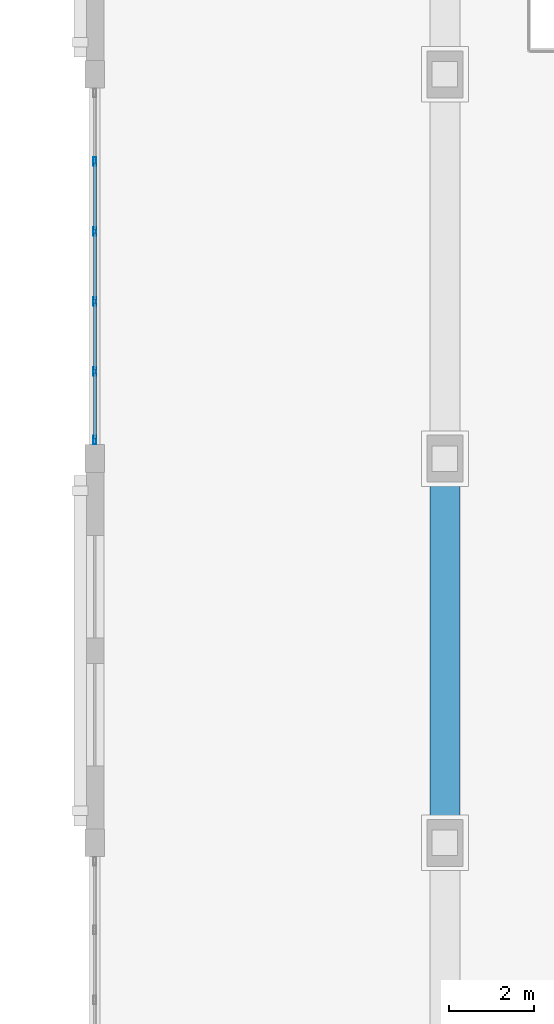
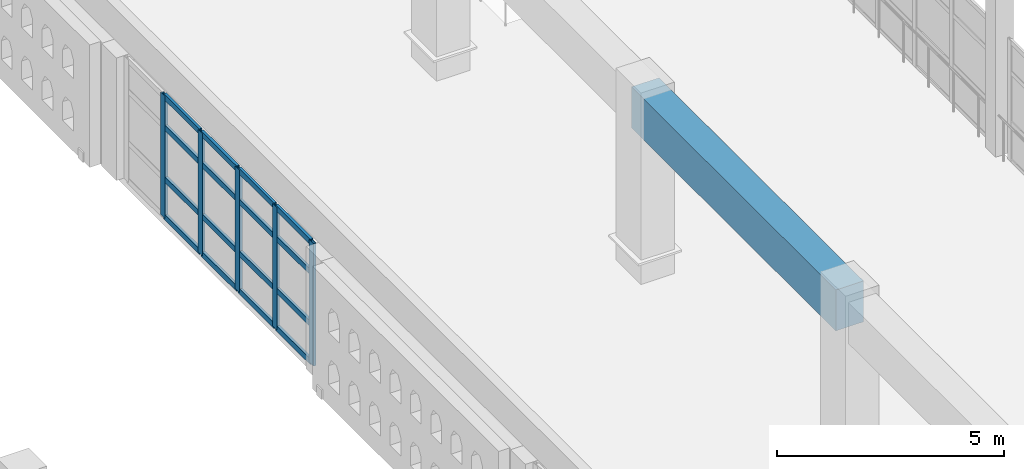
# One storey, part 5 of 80: 21 members, 1 beam, 1 element without a shape of its own.
"""IFC4 building model written with IfcOpenShell, lengths in metres."""

from ifc_helpers import new_model, si_unit, direction, frame, origin, origin_2d, place, context, subcontext, project, spatial, rectangle, hollow_rectangle, extrude, material, layer, layer_set, material_profile, profile_set, type_object, element, aggregate, save


model = new_model("IFC4")

# Units and contexts
model_context = context("Model", 3, precision=1e-05, world=origin(), true_north=direction((0.0, 1.0)))
body_context = subcontext(model_context, "Body", "Model", "MODEL_VIEW")
ifc_project = project(units=[si_unit("LENGTHUNIT", "METRE"), si_unit("AREAUNIT", "SQUARE_METRE"), si_unit("VOLUMEUNIT", "CUBIC_METRE"), si_unit("PLANEANGLEUNIT", "RADIAN"), si_unit("MASSUNIT", "GRAM", prefix="KILO")], contexts=[model_context])

# Site, building, storey
site_placement = place(None, origin())
site = spatial("IfcSite", under=ifc_project, at=site_placement, CompositionType="ELEMENT")
building_placement = place(site_placement, origin())
building = spatial("IfcBuilding", under=site, at=building_placement, Name="Ornek Quay Market", CompositionType="ELEMENT")
storey_placement = place(building_placement, frame((0.0, 0.0, 8.39990234375)))
storey = spatial("IfcBuildingStorey", under=building, at=storey_placement, Name="L02", CompositionType="ELEMENT", Elevation=8.39990234375)

# Beam
ifc_material_1 = material(Name="Concrete C45/55", Category="concrete")
ifc_material_profile_1 = material_profile(ifc_material_1, rectangle(XDim=0.699951171875, YDim=1.10009765625, at=origin_2d()), Name="RC 700x1100", Category="concrete")
ifc_profile_set_1 = profile_set([ifc_material_profile_1], Name="Concrete C45/55")
beam_type = type_object("IfcBeamType", Name="BM-ARCH-TIE-700x1100", PredefinedType="BEAM", material=ifc_profile_set_1)
beam_placement = place(storey_placement, frame((63.0, 47.0, 4.400146484375), z_axis=(0.0, 1.0, 0.0), x_axis=(-1.0, 0.0, 0.0)))
element("IfcBeam", 1, at=beam_placement, inside=storey, type_object=beam_type, Name="Arch springing edge tie beam F-W", PredefinedType="BEAM", context=body_context, shape_type="SweptSolid", body=[
    extrude(rectangle(XDim=0.699951171875, YDim=1.10009765625, at=origin_2d()), origin(), (0.0, 0.0, 1.0), 9.0),
])

# Curtain wall, members
ifc_material_2 = material(Name="Anodised bronze aluminium and triple low-e glass", Category="aluminium")
ifc_layer = layer(ifc_material_2, 0.239990234375, Name="Anodised bronze aluminium and triple low-e glass", Category="aluminium")
ifc_layer_set = layer_set([ifc_layer], Name="Anodised bronze aluminium and triple low-e glass")
curtain_wall_type = type_object("IfcCurtainWallType", Name="CW-GAB-MOD1800", PredefinedType="USERDEFINED", material=ifc_layer_set)
curtain_wall_placement = place(storey_placement, origin())
curtain_wall = element("IfcCurtainWall", 2, at=curtain_wall_placement, inside=storey, type_object=curtain_wall_type, Name="Curtain wall CW-058", ObjectType="CURTAIN WALL", PredefinedType="USERDEFINED")
ifc_material_3 = material(Name="Anodised aluminium 6063-T6", Category="aluminium")
ifc_material_profile_2 = material_profile(ifc_material_3, hollow_rectangle(XDim=0.070068359375, YDim=0.199951171875, WallThickness=0.0048828125, at=origin_2d()), Name="CW-MUL-70x200", Category="aluminium")
ifc_profile_set_2 = profile_set([ifc_material_profile_2], Name="Anodised aluminium 6063-T6")
member_type_1 = type_object("IfcMemberType", Name="CW-MUL-70x200", PredefinedType="MULLION", material=ifc_profile_set_2)
member_1_placement = place(storey_placement, frame((54.800048828125, 56.43505859375, 0.0), z_axis=(0.0, 0.0, 1.0), x_axis=(-1.0, 0.0, 0.0)))
member_1 = element("IfcMember", 3, at=member_1_placement, type_object=member_type_1, Name="CW-058 mullion 1", PredefinedType="MULLION", context=body_context, shape_type="SweptSolid", body=[
    extrude(hollow_rectangle(XDim=0.070068359375, YDim=0.199951171875, WallThickness=0.0048828125, at=origin_2d()), origin(), (0.0, 0.0, 1.0), 3.2900390625),
])
member_2_placement = place(storey_placement, frame((54.800048828125, 58.0400390625, 0.0), z_axis=(0.0, 0.0, 1.0), x_axis=(-1.0, 0.0, 0.0)))
member_2 = element("IfcMember", 4, at=member_2_placement, type_object=member_type_1, Name="CW-058 mullion 2", PredefinedType="MULLION", context=body_context, shape_type="SweptSolid", body=[
    extrude(hollow_rectangle(XDim=0.070068359375, YDim=0.199951171875, WallThickness=0.0048828125, at=origin_2d()), origin(), (0.0, 0.0, 1.0), 3.2900390625),
])
member_3_placement = place(storey_placement, frame((54.800048828125, 59.679931640625, 0.0), z_axis=(0.0, 0.0, 1.0), x_axis=(-1.0, 0.0, 0.0)))
member_3 = element("IfcMember", 5, at=member_3_placement, type_object=member_type_1, Name="CW-058 mullion 3", PredefinedType="MULLION", context=body_context, shape_type="SweptSolid", body=[
    extrude(hollow_rectangle(XDim=0.070068359375, YDim=0.199951171875, WallThickness=0.0048828125, at=origin_2d()), origin(), (0.0, 0.0, 1.0), 3.2900390625),
])
member_4_placement = place(storey_placement, frame((54.800048828125, 61.320068359375, 0.0), z_axis=(0.0, 0.0, 1.0), x_axis=(-1.0, 0.0, 0.0)))
member_4 = element("IfcMember", 6, at=member_4_placement, type_object=member_type_1, Name="CW-058 mullion 4", PredefinedType="MULLION", context=body_context, shape_type="SweptSolid", body=[
    extrude(hollow_rectangle(XDim=0.070068359375, YDim=0.199951171875, WallThickness=0.0048828125, at=origin_2d()), origin(), (0.0, 0.0, 1.0), 3.2900390625),
])
member_5_placement = place(storey_placement, frame((54.800048828125, 62.9599609375, 0.0), z_axis=(0.0, 0.0, 1.0), x_axis=(-1.0, 0.0, 0.0)))
member_5 = element("IfcMember", 7, at=member_5_placement, type_object=member_type_1, Name="CW-058 mullion 5", PredefinedType="MULLION", context=body_context, shape_type="SweptSolid", body=[
    extrude(hollow_rectangle(XDim=0.070068359375, YDim=0.199951171875, WallThickness=0.0048828125, at=origin_2d()), origin(), (0.0, 0.0, 1.0), 3.2900390625),
])
ifc_material_profile_3 = material_profile(ifc_material_3, hollow_rectangle(XDim=0.070068359375, YDim=0.14990234375, WallThickness=0.0048828125, at=origin_2d()), Name="CW-TRN-70x150", Category="aluminium")
ifc_profile_set_3 = profile_set([ifc_material_profile_3], Name="Anodised aluminium 6063-T6")
member_type_2 = type_object("IfcMemberType", Name="CW-TRN-70x150", PredefinedType="USERDEFINED", material=ifc_profile_set_3)
member_6_placement = place(storey_placement, frame((54.800048828125, 56.469970703125, 0.03515625), z_axis=(0.0, 1.0, 0.0), x_axis=(-1.0, 0.0, 0.0)))
member_6 = element("IfcMember", 8, at=member_6_placement, type_object=member_type_2, Name="CW-058 transom 1.1", ObjectType="TRANSOM", PredefinedType="USERDEFINED", context=body_context, shape_type="SweptSolid", body=[
    extrude(hollow_rectangle(XDim=0.070068359375, YDim=0.14990234375, WallThickness=0.0048828125, at=origin_2d()), origin(), (0.0, 0.0, 1.0), 1.534912109375),
])
member_7_placement = place(storey_placement, frame((54.800048828125, 56.469970703125, 1.050048828125), z_axis=(0.0, 1.0, 0.0), x_axis=(-1.0, 0.0, 0.0)))
member_7 = element("IfcMember", 9, at=member_7_placement, type_object=member_type_2, Name="CW-058 transom 1.2", ObjectType="TRANSOM", PredefinedType="USERDEFINED", context=body_context, shape_type="SweptSolid", body=[
    extrude(hollow_rectangle(XDim=0.070068359375, YDim=0.14990234375, WallThickness=0.0048828125, at=origin_2d()), origin(), (0.0, 0.0, 1.0), 1.534912109375),
])
member_8_placement = place(storey_placement, frame((54.800048828125, 56.469970703125, 2.440185546875), z_axis=(0.0, 1.0, 0.0), x_axis=(-1.0, 0.0, 0.0)))
member_8 = element("IfcMember", 10, at=member_8_placement, type_object=member_type_2, Name="CW-058 transom 1.3", ObjectType="TRANSOM", PredefinedType="USERDEFINED", context=body_context, shape_type="SweptSolid", body=[
    extrude(hollow_rectangle(XDim=0.070068359375, YDim=0.14990234375, WallThickness=0.0048828125, at=origin_2d()), origin(), (0.0, 0.0, 1.0), 1.534912109375),
])
member_9_placement = place(storey_placement, frame((54.800048828125, 56.469970703125, 3.255126953125), z_axis=(0.0, 1.0, 0.0), x_axis=(-1.0, 0.0, 0.0)))
member_9 = element("IfcMember", 11, at=member_9_placement, type_object=member_type_2, Name="CW-058 transom 1.4", ObjectType="TRANSOM", PredefinedType="USERDEFINED", context=body_context, shape_type="SweptSolid", body=[
    extrude(hollow_rectangle(XDim=0.070068359375, YDim=0.14990234375, WallThickness=0.0048828125, at=origin_2d()), origin(), (0.0, 0.0, 1.0), 1.534912109375),
])
member_10_placement = place(storey_placement, frame((54.800048828125, 58.074951171875, 0.03515625), z_axis=(0.0, 1.0, 0.0), x_axis=(-1.0, 0.0, 0.0)))
member_10 = element("IfcMember", 12, at=member_10_placement, type_object=member_type_2, Name="CW-058 transom 2.1", ObjectType="TRANSOM", PredefinedType="USERDEFINED", context=body_context, shape_type="SweptSolid", body=[
    extrude(hollow_rectangle(XDim=0.070068359375, YDim=0.14990234375, WallThickness=0.0048828125, at=origin_2d()), origin(), (0.0, 0.0, 1.0), 1.570068359375),
])
member_11_placement = place(storey_placement, frame((54.800048828125, 58.074951171875, 1.050048828125), z_axis=(0.0, 1.0, 0.0), x_axis=(-1.0, 0.0, 0.0)))
member_11 = element("IfcMember", 13, at=member_11_placement, type_object=member_type_2, Name="CW-058 transom 2.2", ObjectType="TRANSOM", PredefinedType="USERDEFINED", context=body_context, shape_type="SweptSolid", body=[
    extrude(hollow_rectangle(XDim=0.070068359375, YDim=0.14990234375, WallThickness=0.0048828125, at=origin_2d()), origin(), (0.0, 0.0, 1.0), 1.570068359375),
])
member_12_placement = place(storey_placement, frame((54.800048828125, 58.074951171875, 2.440185546875), z_axis=(0.0, 1.0, 0.0), x_axis=(-1.0, 0.0, 0.0)))
member_12 = element("IfcMember", 14, at=member_12_placement, type_object=member_type_2, Name="CW-058 transom 2.3", ObjectType="TRANSOM", PredefinedType="USERDEFINED", context=body_context, shape_type="SweptSolid", body=[
    extrude(hollow_rectangle(XDim=0.070068359375, YDim=0.14990234375, WallThickness=0.0048828125, at=origin_2d()), origin(), (0.0, 0.0, 1.0), 1.570068359375),
])
member_13_placement = place(storey_placement, frame((54.800048828125, 58.074951171875, 3.255126953125), z_axis=(0.0, 1.0, 0.0), x_axis=(-1.0, 0.0, 0.0)))
member_13 = element("IfcMember", 15, at=member_13_placement, type_object=member_type_2, Name="CW-058 transom 2.4", ObjectType="TRANSOM", PredefinedType="USERDEFINED", context=body_context, shape_type="SweptSolid", body=[
    extrude(hollow_rectangle(XDim=0.070068359375, YDim=0.14990234375, WallThickness=0.0048828125, at=origin_2d()), origin(), (0.0, 0.0, 1.0), 1.570068359375),
])
member_14_placement = place(storey_placement, frame((54.800048828125, 59.715087890625, 0.03515625), z_axis=(0.0, 1.0, 0.0), x_axis=(-1.0, 0.0, 0.0)))
member_14 = element("IfcMember", 16, at=member_14_placement, type_object=member_type_2, Name="CW-058 transom 3.1", ObjectType="TRANSOM", PredefinedType="USERDEFINED", context=body_context, shape_type="SweptSolid", body=[
    extrude(hollow_rectangle(XDim=0.070068359375, YDim=0.14990234375, WallThickness=0.0048828125, at=origin_2d()), origin(), (0.0, 0.0, 1.0), 1.56982421875),
])
member_15_placement = place(storey_placement, frame((54.800048828125, 59.715087890625, 1.050048828125), z_axis=(0.0, 1.0, 0.0), x_axis=(-1.0, 0.0, 0.0)))
member_15 = element("IfcMember", 17, at=member_15_placement, type_object=member_type_2, Name="CW-058 transom 3.2", ObjectType="TRANSOM", PredefinedType="USERDEFINED", context=body_context, shape_type="SweptSolid", body=[
    extrude(hollow_rectangle(XDim=0.070068359375, YDim=0.14990234375, WallThickness=0.0048828125, at=origin_2d()), origin(), (0.0, 0.0, 1.0), 1.56982421875),
])
member_16_placement = place(storey_placement, frame((54.800048828125, 59.715087890625, 2.440185546875), z_axis=(0.0, 1.0, 0.0), x_axis=(-1.0, 0.0, 0.0)))
member_16 = element("IfcMember", 18, at=member_16_placement, type_object=member_type_2, Name="CW-058 transom 3.3", ObjectType="TRANSOM", PredefinedType="USERDEFINED", context=body_context, shape_type="SweptSolid", body=[
    extrude(hollow_rectangle(XDim=0.070068359375, YDim=0.14990234375, WallThickness=0.0048828125, at=origin_2d()), origin(), (0.0, 0.0, 1.0), 1.56982421875),
])
member_17_placement = place(storey_placement, frame((54.800048828125, 59.715087890625, 3.255126953125), z_axis=(0.0, 1.0, 0.0), x_axis=(-1.0, 0.0, 0.0)))
member_17 = element("IfcMember", 19, at=member_17_placement, type_object=member_type_2, Name="CW-058 transom 3.4", ObjectType="TRANSOM", PredefinedType="USERDEFINED", context=body_context, shape_type="SweptSolid", body=[
    extrude(hollow_rectangle(XDim=0.070068359375, YDim=0.14990234375, WallThickness=0.0048828125, at=origin_2d()), origin(), (0.0, 0.0, 1.0), 1.56982421875),
])
member_18_placement = place(storey_placement, frame((54.800048828125, 61.35498046875, 0.03515625), z_axis=(0.0, 1.0, 0.0), x_axis=(-1.0, 0.0, 0.0)))
member_18 = element("IfcMember", 20, at=member_18_placement, type_object=member_type_2, Name="CW-058 transom 4.1", ObjectType="TRANSOM", PredefinedType="USERDEFINED", context=body_context, shape_type="SweptSolid", body=[
    extrude(hollow_rectangle(XDim=0.070068359375, YDim=0.14990234375, WallThickness=0.0048828125, at=origin_2d()), origin(), (0.0, 0.0, 1.0), 1.570068359375),
])
member_19_placement = place(storey_placement, frame((54.800048828125, 61.35498046875, 1.050048828125), z_axis=(0.0, 1.0, 0.0), x_axis=(-1.0, 0.0, 0.0)))
member_19 = element("IfcMember", 21, at=member_19_placement, type_object=member_type_2, Name="CW-058 transom 4.2", ObjectType="TRANSOM", PredefinedType="USERDEFINED", context=body_context, shape_type="SweptSolid", body=[
    extrude(hollow_rectangle(XDim=0.070068359375, YDim=0.14990234375, WallThickness=0.0048828125, at=origin_2d()), origin(), (0.0, 0.0, 1.0), 1.570068359375),
])
member_20_placement = place(storey_placement, frame((54.800048828125, 61.35498046875, 2.440185546875), z_axis=(0.0, 1.0, 0.0), x_axis=(-1.0, 0.0, 0.0)))
member_20 = element("IfcMember", 22, at=member_20_placement, type_object=member_type_2, Name="CW-058 transom 4.3", ObjectType="TRANSOM", PredefinedType="USERDEFINED", context=body_context, shape_type="SweptSolid", body=[
    extrude(hollow_rectangle(XDim=0.070068359375, YDim=0.14990234375, WallThickness=0.0048828125, at=origin_2d()), origin(), (0.0, 0.0, 1.0), 1.570068359375),
])
member_21_placement = place(storey_placement, frame((54.800048828125, 61.35498046875, 3.255126953125), z_axis=(0.0, 1.0, 0.0), x_axis=(-1.0, 0.0, 0.0)))
member_21 = element("IfcMember", 23, at=member_21_placement, type_object=member_type_2, Name="CW-058 transom 4.4", ObjectType="TRANSOM", PredefinedType="USERDEFINED", context=body_context, shape_type="SweptSolid", body=[
    extrude(hollow_rectangle(XDim=0.070068359375, YDim=0.14990234375, WallThickness=0.0048828125, at=origin_2d()), origin(), (0.0, 0.0, 1.0), 1.570068359375),
])
aggregate(curtain_wall, [member_1, member_2, member_3, member_4, member_5, member_6, member_7, member_8, member_9, member_10, member_11, member_12, member_13, member_14, member_15, member_16, member_17, member_18, member_19, member_20, member_21])

save(model, "model.ifc")
